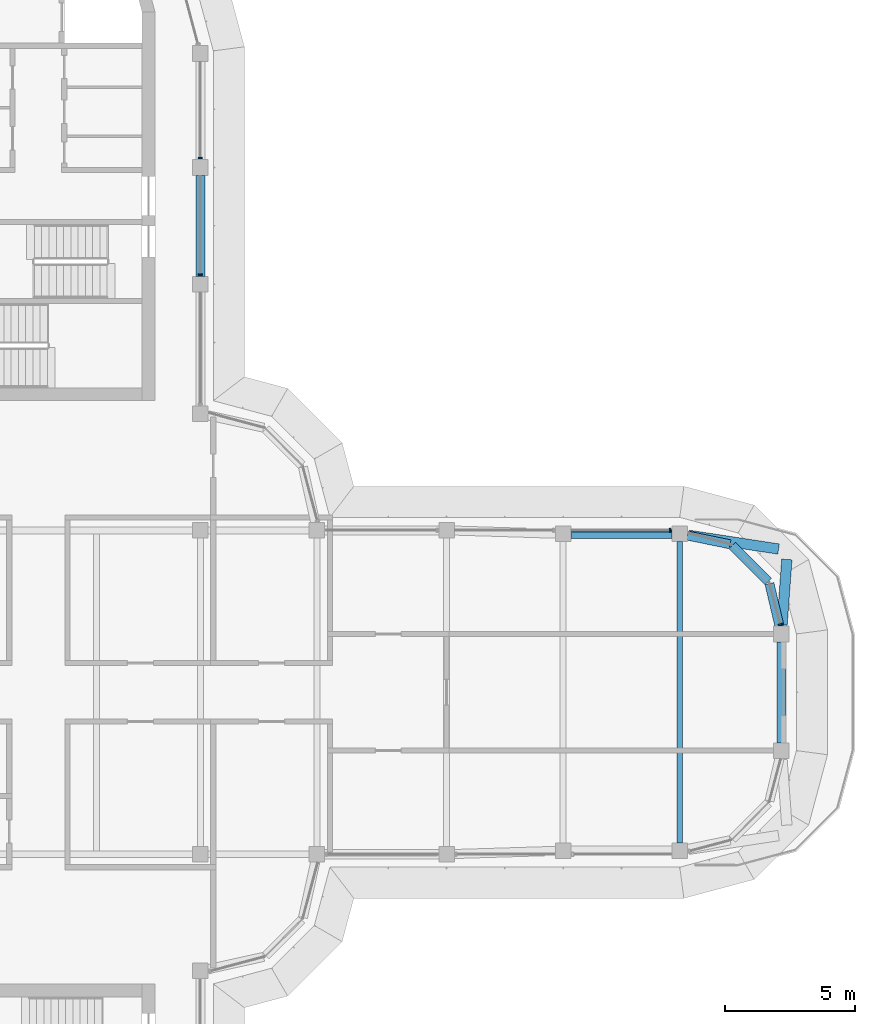
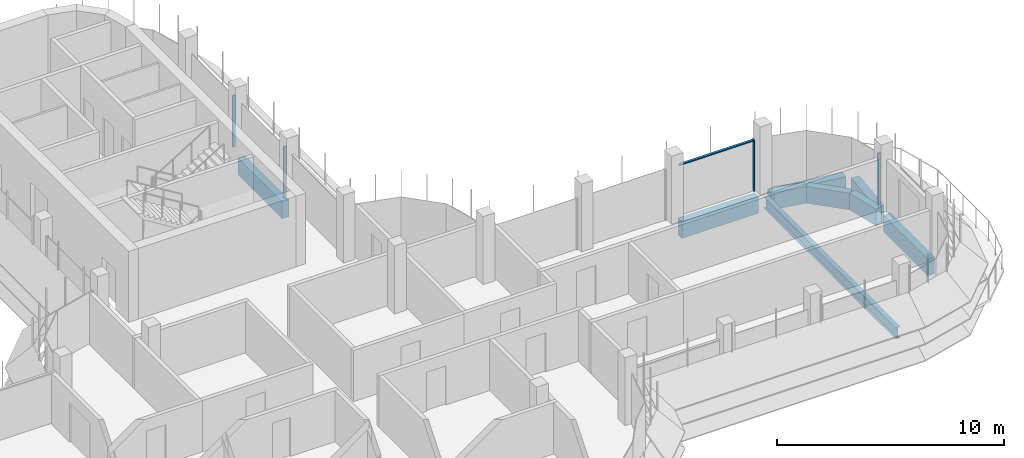
# One storey, part 9 of 20: 9 beams, 5 members, 3 elements without a shape of their own.
"""IFC4 building model written with IfcOpenShell, lengths in metres."""

from ifc_helpers import new_model, si_unit, direction, frame, origin, origin_2d, place, context, subcontext, project, spatial, polyline, rectangle, i_section, outline, extrude, source, transform, mapped, material, material_profile, profile_set, type_object, element, aggregate, save


model = new_model("IFC4")

# Units and contexts
model_context = context("Model", 3, precision=1e-05, world=origin(), true_north=direction((0.0, 1.0)))
body_context = subcontext(model_context, "Body", "Model", "MODEL_VIEW")
ifc_project = project(units=[si_unit("LENGTHUNIT", "METRE"), si_unit("AREAUNIT", "SQUARE_METRE"), si_unit("VOLUMEUNIT", "CUBIC_METRE"), si_unit("PLANEANGLEUNIT", "RADIAN"), si_unit("MASSUNIT", "GRAM", prefix="KILO")], contexts=[model_context])

# Site, building, storey
site_placement = place(None, origin())
site = spatial("IfcSite", under=ifc_project, at=site_placement, CompositionType="ELEMENT")
building_placement = place(site_placement, origin())
building = spatial("IfcBuilding", under=site, at=building_placement, Name="Zarbagh Exchange Tower", CompositionType="ELEMENT")
storey_placement = place(building_placement, frame((0.0, 0.0, 249.800048828125)))
storey = spatial("IfcBuildingStorey", under=building, at=storey_placement, Name="L61", CompositionType="ELEMENT", Elevation=249.800048828125)

# Beams
ifc_material_1 = material(Name="Steel ASTM A992 Gr 50", Category="steel")
ifc_material_profile_1 = material_profile(ifc_material_1, i_section(OverallWidth=0.228271484375, OverallDepth=0.607177734375, WebThickness=0.01123046875, FlangeThickness=0.017333984375, at=origin_2d()), Name="W24X76")
ifc_profile_set_1 = profile_set([ifc_material_profile_1], Name="Steel ASTM A992 Gr 50")
beam_type_1 = type_object("IfcBeamType", Name="Floor beam W24X76", PredefinedType="BEAM", material=ifc_profile_set_1)
beam_1_placement = place(storey_placement, frame((24.75, -5.81005859375, -0.45361328125), z_axis=(0.0, 1.0, 0.0), x_axis=(-1.0, 0.0, 0.0)))
element("IfcBeam", 1, at=beam_1_placement, inside=storey, type_object=beam_type_1, Name="Steel floor beam", PredefinedType="BEAM", context=body_context, shape_type="SweptSolid", body=[
    extrude(i_section(OverallWidth=0.228271484375, OverallDepth=0.607177734375, WebThickness=0.01123046875, FlangeThickness=0.017333984375, at=origin_2d()), origin(), (0.0, 0.0, 1.0), 11.6201171875),
])
ifc_material_2 = material(Name="Concrete C40/50", Category="concrete")
ifc_material_profile_2 = material_profile(ifc_material_2, rectangle(XDim=0.35009765625, YDim=0.89990234375, at=origin_2d()), Name="RC spandrel beam 350 x 900 C40/50")
ifc_profile_set_2 = profile_set([ifc_material_profile_2], Name="Concrete C40/50")
beam_type_2 = type_object("IfcBeamType", Name="RC spandrel beam 350 x 900 C40/50", PredefinedType="SPANDREL", material=ifc_profile_set_2)
for number, where, z_axis, x_axis, name in (
    (2, (6.25, 19.949951171875, -0.60009765625), (0.0, -1.0, 0.0), (1.0, 0.0, 0.0), "RC spandrel beam"),
    (3, (20.550048828125, 6.110107421875, -0.60009765625), (1.0, 0.0, 0.0), (0.0, 1.0, 0.0), "RC spandrel beam"),
):
    element("IfcBeam", number, at=place(storey_placement, frame(where, z_axis=z_axis, x_axis=x_axis)), inside=storey, type_object=beam_type_2, Name=name, PredefinedType="SPANDREL", context=body_context, shape_type="SweptSolid", body=[
        extrude(rectangle(XDim=0.35009765625, YDim=0.89990234375, at=origin_2d()), origin(), (0.0, 0.0, 1.0), 3.89990234375),
    ])
beam_2_placement = place(storey_placement, frame((25.043701171875, 6.04931640625, -0.60009765625), z_axis=(0.979349753205, -0.202173343684, 0.0), x_axis=(0.202173343684, 0.979349753205, 0.0)))
element("IfcBeam", 4, at=beam_2_placement, inside=storey, type_object=beam_type_2, Name="RC spandrel beam", PredefinedType="SPANDREL", context=body_context, shape_type="SweptSolid", body=[
    extrude(rectangle(XDim=0.35009765625, YDim=0.89990234375, at=origin_2d()), origin(), (0.0, 0.0, 1.0), 1.680908203125),
])
beam_3_placement = place(storey_placement, frame((26.7783203125, 5.661865234375, -0.60009765625), z_axis=(0.707106781187, -0.707106781187, 0.0), x_axis=(0.707106781187, 0.707106781187, 0.0)))
element("IfcBeam", 5, at=beam_3_placement, inside=storey, type_object=beam_type_2, Name="RC spandrel beam", PredefinedType="SPANDREL", context=body_context, shape_type="SweptSolid", body=[
    extrude(rectangle(XDim=0.35009765625, YDim=0.89990234375, at=origin_2d()), origin(), (0.0, 0.0, 1.0), 1.95947265625),
])
beam_4_placement = place(storey_placement, frame((28.210205078125, 4.19287109375, -0.60009765625), z_axis=(0.230258391117, -0.973129525459, 0.0), x_axis=(0.973129525459, 0.230258391117, 0.0)))
element("IfcBeam", 6, at=beam_4_placement, inside=storey, type_object=beam_type_2, Name="RC spandrel beam", PredefinedType="SPANDREL", context=body_context, shape_type="SweptSolid", body=[
    extrude(rectangle(XDim=0.35009765625, YDim=0.89990234375, at=origin_2d()), origin(), (0.0, 0.0, 1.0), 1.696533203125),
])
beam_5_placement = place(storey_placement, frame((28.669921875, 1.949951171875, -0.60009765625), z_axis=(0.0, -1.0, 0.0), x_axis=(1.0, 0.0, 0.0)))
element("IfcBeam", 7, at=beam_5_placement, inside=storey, type_object=beam_type_2, Name="RC spandrel beam", PredefinedType="SPANDREL", context=body_context, shape_type="SweptSolid", body=[
    extrude(rectangle(XDim=0.35009765625, YDim=0.89990234375, at=origin_2d()), origin(), (0.0, 0.0, 1.0), 3.89990234375),
])
ifc_material_3 = material(Name="Concrete C50/60", Category="concrete")
ifc_material_profile_3 = material_profile(ifc_material_3, rectangle(XDim=0.39990234375, YDim=0.89990234375, at=origin_2d()), Name="RC spandrel beam 400 x 900 C50/60")
ifc_profile_set_3 = profile_set([ifc_material_profile_3], Name="Concrete C50/60")
beam_type_3 = type_object("IfcBeamType", Name="RC spandrel beam 400 x 900 C50/60", PredefinedType="SPANDREL", material=ifc_profile_set_3)
beam_6_placement = place(storey_placement, frame((25.095947265625, 6.05712890625, -0.60009765625), z_axis=(0.988540131327, -0.150958301382, 0.0), x_axis=(0.150958301382, 0.988540131327, 0.0)))
element("IfcBeam", 8, at=beam_6_placement, inside=storey, type_object=beam_type_3, Name="RC spandrel beam", PredefinedType="SPANDREL", context=body_context, shape_type="SweptSolid", body=[
    extrude(rectangle(XDim=0.39990234375, YDim=0.89990234375, at=origin_2d()), origin(), (0.0, 0.0, 1.0), 3.50634765625),
])
beam_7_placement = place(storey_placement, frame((28.882080078125, 5.1259765625, -0.60009765625), z_axis=(-0.073520300379, -0.997293720742, 0.0), x_axis=(0.997293720742, -0.073520300379, 0.0)))
element("IfcBeam", 9, at=beam_7_placement, inside=storey, type_object=beam_type_3, Name="RC spandrel beam", PredefinedType="SPANDREL", context=body_context, shape_type="SweptSolid", body=[
    extrude(rectangle(XDim=0.39990234375, YDim=0.89990234375, at=origin_2d()), origin(), (0.0, 0.0, 1.0), 2.53369140625),
])

# Curtain wall, member
ifc_material_4 = material(Name="Anodised aluminium frame and glazing", Category="aluminium")
curtain_wall_type = type_object("IfcCurtainWallType", Name="CWB Ribbon glazing, upper zones", PredefinedType="NOTDEFINED", material=ifc_material_4)
curtain_wall_1_placement = place(storey_placement, origin())
curtain_wall_1 = element("IfcCurtainWall", 10, at=curtain_wall_1_placement, inside=storey, type_object=curtain_wall_type, Name="CWB79 curtain wall", PredefinedType="NOTDEFINED")
ifc_material_5 = material(Name="Anodised aluminium frame", Category="aluminium")
member_type_1 = type_object("IfcMemberType", Name="MUB Mullion, anodised aluminium frame", PredefinedType="MULLION", material=ifc_material_5)
shared_shape_1 = source(origin(), body_context, "Body", "SweptSolid", [
    extrude(outline(polyline([(0.0, -0.080078125), (0.06005859375, -0.080078125), (0.06005859375, 0.080078125), (0.0, 0.080078125), (0.0, -0.080078125)])), origin(), (0.0, 0.0, 1.0), 2.75),
])
placement = place(storey_placement, origin())
member_1 = element("IfcMember", 11, at=placement, type_object=member_type_1, Name="CWB79 mullion 1.1", PredefinedType="MULLION", context=body_context, shape_type="MappedRepresentation", body=[
    mapped(shared_shape_1, transform((28.641357421875, 2.58984375, 0.0), x_axis=(-0.258824779902, 0.965924289636, 0.0), y_axis=(-0.965924289636, -0.258824779902, 0.0), z_axis=(0.0, 0.0, 1.0))),
])
aggregate(curtain_wall_1, [member_1])

curtain_wall_2_placement = place(storey_placement, origin())
curtain_wall_2 = element("IfcCurtainWall", 12, at=curtain_wall_2_placement, inside=storey, type_object=curtain_wall_type, Name="CWB82 curtain wall", PredefinedType="NOTDEFINED")
member_2 = element("IfcMember", 13, at=placement, type_object=member_type_1, Name="CWB82 mullion 1.1", PredefinedType="MULLION", context=body_context, shape_type="MappedRepresentation", body=[
    mapped(shared_shape_1, transform((24.409912109375, 6.25, 0.0), x_axis=(-1.0, 0.0, 0.0), y_axis=(0.0, -1.0, 0.0), z_axis=(0.0, 0.0, 1.0))),
])

# Curtain wall, members
curtain_wall_3_placement = place(storey_placement, origin())
curtain_wall_3 = element("IfcCurtainWall", 14, at=curtain_wall_3_placement, inside=storey, type_object=curtain_wall_type, Name="CWB67 curtain wall", PredefinedType="NOTDEFINED")
member_3 = element("IfcMember", 15, at=placement, type_object=member_type_1, Name="CWB67 mullion 2.1", PredefinedType="MULLION", context=body_context, shape_type="MappedRepresentation", body=[
    mapped(shared_shape_1, transform((6.25, 16.090087890625, 0.0), x_axis=(0.0, 1.0, 0.0), y_axis=(-1.0, 0.0, 0.0), z_axis=(0.0, 0.0, 1.0))),
])
member_4 = element("IfcMember", 16, at=placement, type_object=member_type_1, Name="CWB67 mullion 3.1", PredefinedType="MULLION", context=body_context, shape_type="MappedRepresentation", body=[
    mapped(shared_shape_1, transform((6.25, 20.590087890625, 0.0), x_axis=(0.0, 1.0, 0.0), y_axis=(-1.0, 0.0, 0.0), z_axis=(0.0, 0.0, 1.0))),
])
aggregate(curtain_wall_3, [member_3, member_4])

# Member
member_type_2 = type_object("IfcMemberType", Name="TRB Transom, anodised aluminium frame", PredefinedType="USERDEFINED", material=ifc_material_5)
shared_shape_2 = source(origin(), body_context, "Body", "SweptSolid", [
    extrude(outline(polyline([(-0.06005859375, -0.06005859375), (0.0, -0.06005859375), (0.0, 0.06005859375), (-0.06005859375, 0.06005859375), (-0.06005859375, -0.06005859375)])), origin(), (0.0, 0.0, 1.0), 3.760009765625),
])
member_5 = element("IfcMember", 17, at=placement, type_object=member_type_2, Name="CWB82 transom 1.1", ObjectType="TRANSOM", PredefinedType="USERDEFINED", context=body_context, shape_type="MappedRepresentation", body=[
    mapped(shared_shape_2, transform((24.349853515625, 6.25, 2.75), x_axis=(0.0, 0.0, 1.0), y_axis=(0.0, 1.0, 0.0), z_axis=(-1.0, 0.0, 0.0))),
])

aggregate(curtain_wall_2, [member_2, member_5])

save(model, "model.ifc")
